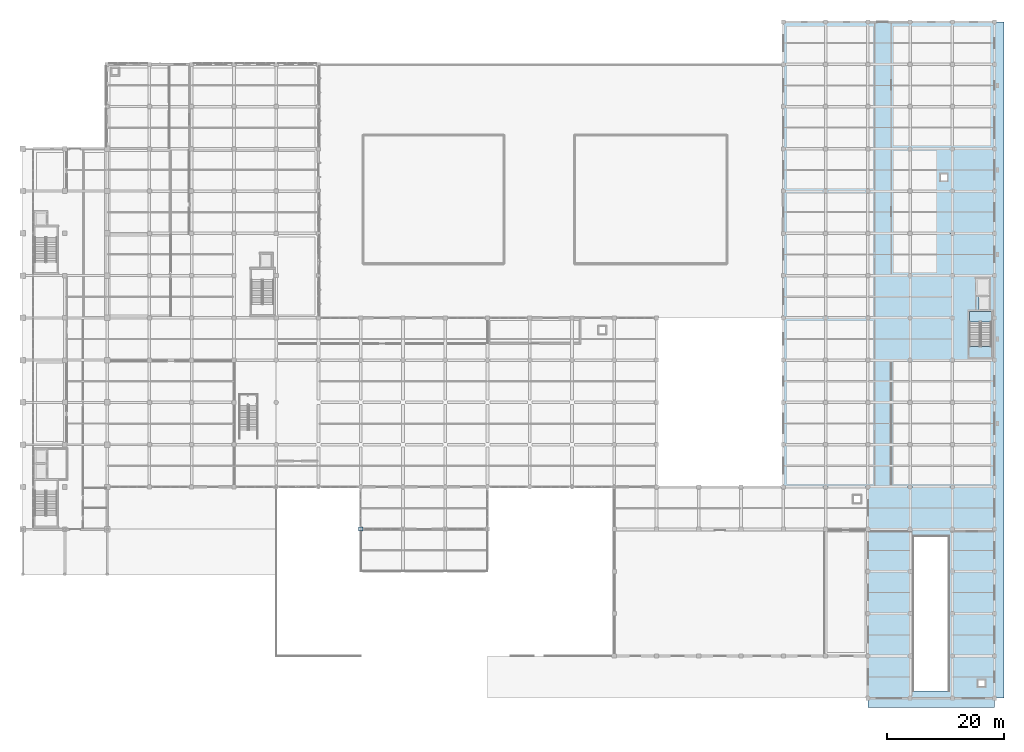
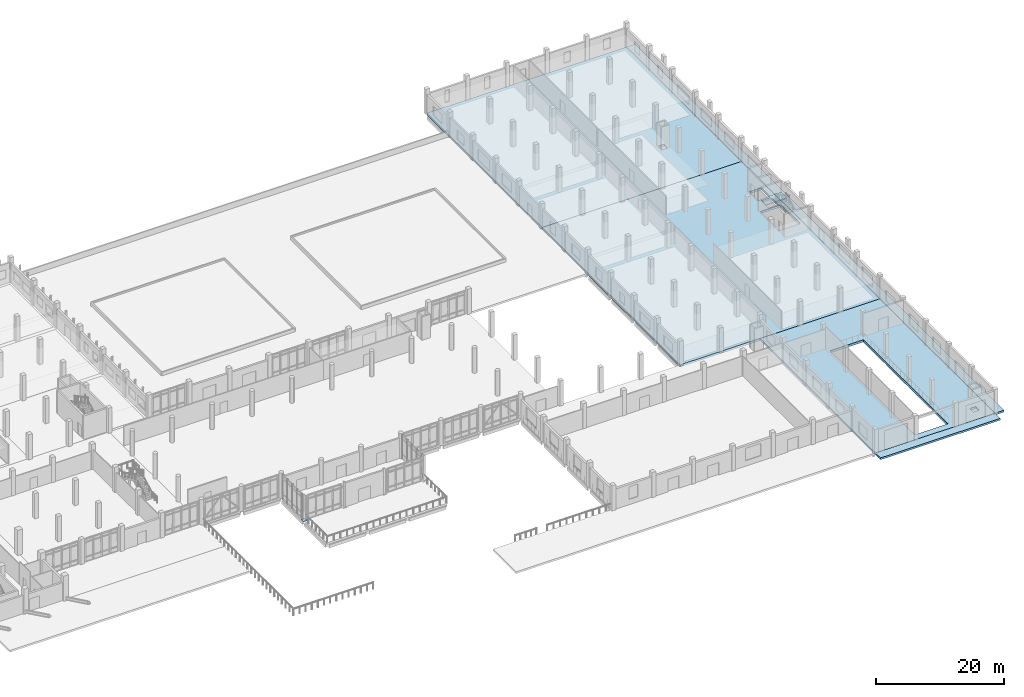
# One storey, part 33 of 59: 6 slabs, 1 plate, 1 element without a shape of its own.
"""IFC4 building model written with IfcOpenShell, lengths in metres."""

from ifc_helpers import new_model, si_unit, direction, frame, origin, origin_2d, place, context, subcontext, project, spatial, polyline, rectangle, outline, extrude, material, layer, layer_set, type_object, element, aggregate, save


model = new_model("IFC4")

# Units and contexts
model_context = context("Model", 3, precision=1e-05, world=origin(), true_north=direction((0.0, 1.0)))
body_context = subcontext(model_context, "Body", "Model", "MODEL_VIEW")
ifc_project = project(units=[si_unit("LENGTHUNIT", "METRE"), si_unit("AREAUNIT", "SQUARE_METRE"), si_unit("VOLUMEUNIT", "CUBIC_METRE"), si_unit("PLANEANGLEUNIT", "RADIAN"), si_unit("MASSUNIT", "GRAM", prefix="KILO")], contexts=[model_context])

# Site, building, storey
site_placement = place(None, origin())
site = spatial("IfcSite", under=ifc_project, at=site_placement, CompositionType="ELEMENT")
building_placement = place(site_placement, origin())
building = spatial("IfcBuilding", under=site, at=building_placement, Name="Valkovuoma Quantum and Materials Research Institute", CompositionType="ELEMENT")
storey_placement = place(building_placement, origin())
storey = spatial("IfcBuildingStorey", under=building, at=storey_placement, Name="L00", CompositionType="ELEMENT", Elevation=0.0)

# Plate
ifc_material_1 = material(Name="Steel S355J2", Category="steel")
plate_type = type_object("IfcPlateType", Name="Plate-PL-BAS3", PredefinedType="USERDEFINED", material=ifc_material_1)
plate_placement = place(storey_placement, frame((57.60009765625, 28.800048828125, 0.0), z_axis=(0.0, 0.0, 1.0), x_axis=(1.0, 0.0, 0.0)))
element("IfcPlate", 1, at=plate_placement, inside=storey, type_object=plate_type, Name="L00 base plate 09E", ObjectType="BASE_PLATE", PredefinedType="USERDEFINED", context=body_context, shape_type="SweptSolid", body=[
    extrude(rectangle(XDim=0.699951171875, YDim=0.699951171875, at=origin_2d()), origin(), (0.0, 0.0, 1.0), 0.030029296875),
])

# Slabs
ifc_material_2 = material(Name="Concrete C40/50", Category="concrete")
ifc_layer_1 = layer(ifc_material_2, 0.39990234375)
ifc_layer_set_1 = layer_set([ifc_layer_1], Name="Concrete C40/50")
slab_type_1 = type_object("IfcSlabType", Name="Slab-SL-FL400", PredefinedType="FLOOR", material=ifc_layer_set_1)
slab_1_placement = place(storey_placement, frame((0.0, 0.0, -0.39990234375)))
element("IfcSlab", 2, at=slab_1_placement, inside=storey, type_object=slab_type_1, Name="L00 vol4_wetlab structural slab 1", PredefinedType="FLOOR", context=body_context, shape_type="SweptSolid", body=[
    extrude(outline(polyline([(129.60009765625, 36.0), (165.60009765625, 36.0), (165.60009765625, 79.199951171875), (129.60009765625, 79.199951171875), (129.60009765625, 36.0)]), holes=[polyline([(161.300048828125, 59.9599609375), (165.050048828125, 59.9599609375), (165.050048828125, 65.89990234375), (161.300048828125, 65.89990234375), (161.300048828125, 59.9599609375)]), polyline([(162.919921875, 66.1201171875), (164.679931640625, 66.1201171875), (164.679931640625, 68.3798828125), (162.919921875, 68.3798828125), (162.919921875, 66.1201171875)]), polyline([(162.52001953125, 68.669921875), (164.679931640625, 68.669921875), (164.679931640625, 71.429931640625), (162.52001953125, 71.429931640625), (162.52001953125, 68.669921875)])]), origin(), (0.0, 0.0, 1.0), 0.39990234375),
])
slab_2_placement = place(storey_placement, frame((0.0, 0.0, -0.39990234375)))
element("IfcSlab", 3, at=slab_2_placement, inside=storey, type_object=slab_type_1, Name="L00 vol4_wetlab structural slab 2", PredefinedType="FLOOR", context=body_context, shape_type="SweptSolid", body=[
    extrude(outline(polyline([(129.60009765625, 79.199951171875), (165.60009765625, 79.199951171875), (165.60009765625, 115.199951171875), (129.60009765625, 115.199951171875), (129.60009765625, 79.199951171875)]), holes=[polyline([(156.39990234375, 88.199951171875), (157.5, 88.199951171875), (157.5, 89.300048828125), (156.39990234375, 89.300048828125), (156.39990234375, 88.199951171875)])]), origin(), (0.0, 0.0, 1.0), 0.39990234375),
])
slab_3_placement = place(storey_placement, frame((0.0, 0.0, -0.39990234375)))
element("IfcSlab", 4, at=slab_3_placement, inside=storey, type_object=slab_type_1, Name="L00 vol4_wetlab structural slab 3", PredefinedType="FLOOR", context=body_context, shape_type="SweptSolid", body=[
    extrude(outline(polyline([(144.0, 0.0), (165.60009765625, 0.0), (165.60009765625, 36.0), (144.0, 36.0), (144.0, 0.0)]), holes=[polyline([(162.800048828125, 2.0), (163.89990234375, 2.0), (163.89990234375, 3.10009765625), (162.800048828125, 3.10009765625), (162.800048828125, 2.0)]), polyline([(151.800048828125, 1.199951171875), (157.800048828125, 1.199951171875), (157.800048828125, 27.60009765625), (151.800048828125, 27.60009765625), (151.800048828125, 1.199951171875)])]), origin(), (0.0, 0.0, 1.0), 0.39990234375),
])

# Stair, slab
ifc_material_3 = material(Name="Concrete C40/50", Category="concrete")
stair_type = type_object("IfcStairType", Name="Stair-ST-COR", PredefinedType="HALF_TURN_STAIR", material=ifc_material_3)
stair_placement = place(storey_placement, origin())
stair = element("IfcStair", 5, at=stair_placement, inside=storey, type_object=stair_type, Name="L00 Exit Stair ST-3", PredefinedType="HALF_TURN_STAIR")
ifc_material_4 = material(Name="Concrete C40/50", Category="concrete")
ifc_layer_2 = layer(ifc_material_4, 0.199951171875)
ifc_layer_set_2 = layer_set([ifc_layer_2], Name="Concrete C40/50")
slab_type_2 = type_object("IfcSlabType", Name="Slab-SL-LND200", PredefinedType="LANDING", material=ifc_layer_set_2)
slab_4_placement = place(storey_placement, frame((0.0, 0.0, 2.199951171875)))
slab_4 = element("IfcSlab", 6, at=slab_4_placement, type_object=slab_type_2, Name="ST-3 landing 1", PredefinedType="LANDING", context=body_context, shape_type="SweptSolid", body=[
    extrude(outline(polyline([(165.050048828125, 64.10009765625), (165.050048828125, 65.89990234375), (161.300048828125, 65.89990234375), (161.300048828125, 64.10009765625), (165.050048828125, 64.10009765625)])), origin(), (0.0, 0.0, 1.0), 0.199951171875),
])
aggregate(stair, [slab_4])

# Slabs
ifc_material_5 = material(Name="Concrete C40/50", Category="concrete")
ifc_layer_3 = layer(ifc_material_5, 0.35009765625)
ifc_layer_set_3 = layer_set([ifc_layer_3], Name="Concrete C40/50")
slab_type_3 = type_object("IfcSlabType", Name="Slab-SL-TER350", PredefinedType="FLOOR", material=ifc_layer_set_3)
slab_5_placement = place(storey_placement, frame((0.0, 0.0, -0.35009765625)))
element("IfcSlab", 7, at=slab_5_placement, inside=storey, type_object=slab_type_3, Name="L00 outdoor deck PLAZA_DOCK_APRON", PredefinedType="FLOOR", context=body_context, shape_type="SweptSolid", body=[
    extrude(outline(polyline([(144.0, -1.60009765625), (165.60009765625, -1.60009765625), (165.60009765625, 0.0), (144.0, 0.0), (144.0, -1.60009765625)])), origin(), (0.0, 0.0, 1.0), 0.35009765625),
])
slab_6_placement = place(storey_placement, frame((0.0, 0.0, -0.35009765625)))
element("IfcSlab", 8, at=slab_6_placement, inside=storey, type_object=slab_type_3, Name="L00 outdoor deck PLAZA_EAST_APRON", PredefinedType="FLOOR", context=body_context, shape_type="SweptSolid", body=[
    extrude(outline(polyline([(165.60009765625, 0.0), (167.199951171875, 0.0), (167.199951171875, 115.199951171875), (165.60009765625, 115.199951171875), (165.60009765625, 0.0)])), origin(), (0.0, 0.0, 1.0), 0.35009765625),
])

save(model, "model.ifc")
